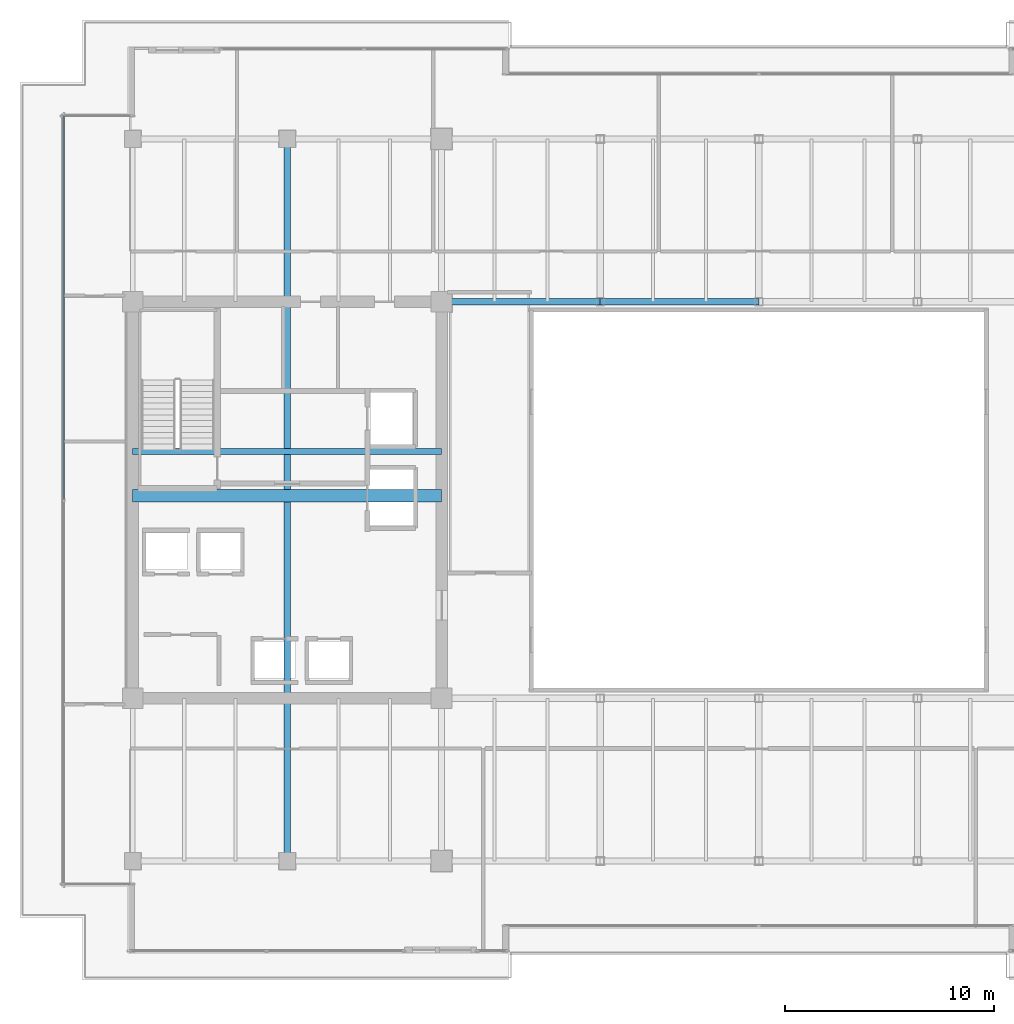
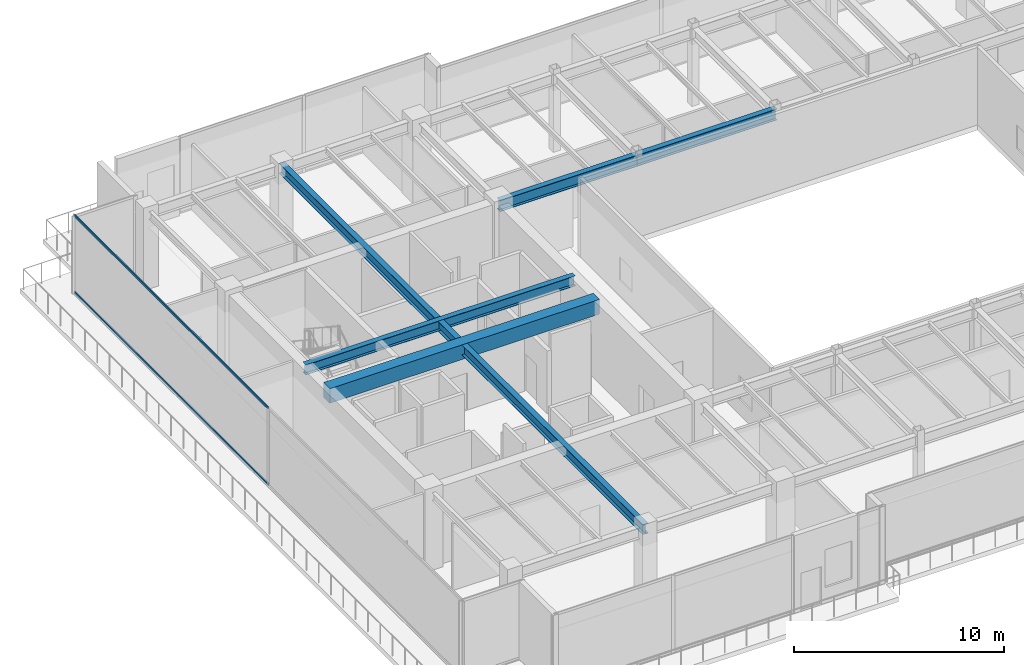
# One storey, part 10 of 37: 5 beams, 2 members, 1 element without a shape of its own.
"""IFC4 building model written with IfcOpenShell, lengths in metres."""

from ifc_helpers import new_model, si_unit, direction, frame, origin, origin_2d, place, context, subcontext, project, spatial, rectangle, hollow_rectangle, i_section, extrude, source, transform, mapped, material, layer, layer_set, material_profile, profile_set, type_object, type_shapes, element, aggregate, save


model = new_model("IFC4")

# Units and contexts
model_context = context("Model", 3, precision=1e-05, world=origin(), true_north=direction((0.0, 1.0)))
body_context = subcontext(model_context, "Body", "Model", "MODEL_VIEW")
ifc_project = project(units=[si_unit("LENGTHUNIT", "METRE"), si_unit("AREAUNIT", "SQUARE_METRE"), si_unit("VOLUMEUNIT", "CUBIC_METRE"), si_unit("PLANEANGLEUNIT", "RADIAN"), si_unit("MASSUNIT", "GRAM", prefix="KILO")], contexts=[model_context])

# Site, building, storey
site_placement = place(None, origin())
site = spatial("IfcSite", under=ifc_project, at=site_placement, CompositionType="ELEMENT")
building_placement = place(site_placement, origin())
building = spatial("IfcBuilding", under=site, at=building_placement, Name="Haelvirn Gate Laboratories", CompositionType="ELEMENT")
storey_placement = place(building_placement, frame((0.0, 0.0, 196.60009765625)))
storey = spatial("IfcBuildingStorey", under=building, at=storey_placement, Name="L47", CompositionType="ELEMENT", Elevation=196.60009765625)

# Beams
ifc_material_1 = material(Name="Steel SM355", Category="steel")
ifc_material_profile_1 = material_profile(ifc_material_1, i_section(OverallWidth=0.300048828125, OverallDepth=0.587890625, WebThickness=0.011962890625, FlangeThickness=0.02001953125, at=origin_2d()), Name="H-588x300x12x20")
ifc_profile_set_1 = profile_set([ifc_material_profile_1], Name="Steel SM355")
beam_type_1 = type_object("IfcBeamType", Name="BM-G-588", PredefinedType="BEAM", material=ifc_profile_set_1)
shared_shape_1 = source(origin(), body_context, "Body", "SweptSolid", [
    extrude(i_section(OverallWidth=0.300048828125, OverallDepth=0.587890625, WebThickness=0.011962890625, FlangeThickness=0.02001953125, at=origin_2d()), origin(), (0.0, 0.0, 1.0), 14.800048828125),
])
beam_1_placement = place(storey_placement, frame((7.39990234375, 26.6201171875, 4.205810546875), z_axis=(1.0, 0.0, 0.0), x_axis=(0.0, 1.0, 0.0)))
element("IfcBeam", 1, at=beam_1_placement, inside=storey, type_object=beam_type_1, Name="L47 Stair ST1 Landing Header", PredefinedType="BEAM", context=body_context, shape_type="MappedRepresentation", body=[
    mapped(shared_shape_1, transform((0.0, 0.0, 0.0), scale=1.0)),
])
shared_shape_2 = source(origin(), body_context, "Body", "SweptSolid", [
    extrude(i_section(OverallWidth=0.300048828125, OverallDepth=0.587890625, WebThickness=0.011962890625, FlangeThickness=0.02001953125, at=origin_2d()), origin(), (0.0, 0.0, 1.0), 34.60009765625),
])
type_shapes(beam_type_1, [shared_shape_1, shared_shape_2])
beam_2_placement = place(storey_placement, frame((14.800048828125, 7.0, 4.205810546875), z_axis=(0.0, 1.0, 0.0), x_axis=(-1.0, 0.0, 0.0)))
element("IfcBeam", 2, at=beam_2_placement, inside=storey, type_object=beam_type_1, Name="L47 Frame Girder X14.8 (7.0-41.6)", PredefinedType="BEAM", context=body_context, shape_type="MappedRepresentation", body=[
    mapped(shared_shape_2, transform((0.0, 0.0, 0.0), scale=1.0)),
])
ifc_material_2 = material(Name="Concrete C50/60", Category="concrete")
ifc_material_profile_2 = material_profile(ifc_material_2, rectangle(XDim=0.60009765625, YDim=0.85009765625, at=origin_2d()), Name="RCB-600x850")
ifc_profile_set_2 = profile_set([ifc_material_profile_2], Name="Concrete C50/60")
beam_type_2 = type_object("IfcBeamType", Name="BM-RCB-850", PredefinedType="LINTEL", material=ifc_profile_set_2)
shared_shape_3 = source(origin(), body_context, "Body", "SweptSolid", [
    extrude(rectangle(XDim=0.60009765625, YDim=0.85009765625, at=origin_2d()), origin(), (0.0, 0.0, 1.0), 14.800048828125),
])
type_shapes(beam_type_2, [shared_shape_3])
beam_3_placement = place(storey_placement, frame((7.39990234375, 24.5, 4.074951171875), z_axis=(1.0, 0.0, 0.0), x_axis=(0.0, 1.0, 0.0)))
element("IfcBeam", 3, at=beam_3_placement, inside=storey, type_object=beam_type_2, Name="L47 West Core Coupling Beam", PredefinedType="LINTEL", context=body_context, shape_type="MappedRepresentation", body=[
    mapped(shared_shape_3, transform((0.0, 0.0, 0.0), scale=1.0)),
])
ifc_material_profile_3 = material_profile(ifc_material_1, i_section(OverallWidth=0.300048828125, OverallDepth=0.64990234375, WebThickness=0.012939453125, FlangeThickness=0.02197265625, at=origin_2d()), Name="H-650x300x13x22")
ifc_profile_set_3 = profile_set([ifc_material_profile_3], Name="Steel SM355")
beam_type_3 = type_object("IfcBeamType", Name="BM-G-650", PredefinedType="BEAM", material=ifc_profile_set_3)
shared_shape_4 = source(origin(), body_context, "Body", "SweptSolid", [
    extrude(i_section(OverallWidth=0.300048828125, OverallDepth=0.64990234375, WebThickness=0.012939453125, FlangeThickness=0.02197265625, at=origin_2d()), origin(), (0.0, 0.0, 1.0), 7.60009765625),
])
beam_4_placement = place(storey_placement, frame((22.199951171875, 33.800048828125, 4.1748046875), z_axis=(1.0, 0.0, 0.0), x_axis=(0.0, 1.0, 0.0)))
element("IfcBeam", 4, at=beam_4_placement, inside=storey, type_object=beam_type_3, Name="L47 Primary Girder Y33.8 (22.2-29.8)", PredefinedType="BEAM", context=body_context, shape_type="MappedRepresentation", body=[
    mapped(shared_shape_4, transform((0.0, 0.0, 0.0), scale=1.0)),
])
shared_shape_5 = source(origin(), body_context, "Body", "SweptSolid", [
    extrude(i_section(OverallWidth=0.300048828125, OverallDepth=0.64990234375, WebThickness=0.012939453125, FlangeThickness=0.02197265625, at=origin_2d()), origin(), (0.0, 0.0, 1.0), 7.599853515625),
])
type_shapes(beam_type_3, [shared_shape_4, shared_shape_5])
beam_5_placement = place(storey_placement, frame((29.800048828125, 33.800048828125, 4.1748046875), z_axis=(1.0, 0.0, 0.0), x_axis=(0.0, 1.0, 0.0)))
element("IfcBeam", 5, at=beam_5_placement, inside=storey, type_object=beam_type_3, Name="L47 Primary Girder Y33.8 (29.8-37.4)", PredefinedType="BEAM", context=body_context, shape_type="MappedRepresentation", body=[
    mapped(shared_shape_5, transform((0.0, 0.0, 0.0), scale=1.0)),
])

# Curtain wall, members
ifc_material_3 = material(Name="Anodised bronze unitised aluminium & triple low-E glass", Category="aluminium")
ifc_layer = layer(ifc_material_3, 0.176025390625, Name="CW-SYS-4")
ifc_layer_set = layer_set([ifc_layer], Name="Anodised bronze unitised aluminium & triple low-E glass")
curtain_wall_type = type_object("IfcCurtainWallType", Name="CW-SYS-4", PredefinedType="NOTDEFINED", material=ifc_layer_set)
curtain_wall_placement = place(storey_placement, origin())
curtain_wall = element("IfcCurtainWall", 6, at=curtain_wall_placement, inside=storey, type_object=curtain_wall_type, Name="L47 Unitised Curtain Wall CW-L47-P0-E17", PredefinedType="NOTDEFINED")
ifc_material_4 = material(Name="Extruded aluminium 6063-T6 (anodised bronze)", Category="aluminium")
ifc_material_profile_4 = material_profile(ifc_material_4, hollow_rectangle(XDim=0.06494140625, YDim=0.139892578125, WallThickness=0.00390625, at=origin_2d()), Name="CWT-140x65x4")
ifc_profile_set_4 = profile_set([ifc_material_profile_4], Name="Extruded aluminium 6063-T6 (anodised bronze)")
member_type = type_object("IfcMemberType", Name="CWT-T140", PredefinedType="USERDEFINED", material=ifc_profile_set_4)
shared_shape_6 = source(origin(), body_context, "Body", "SweptSolid", [
    extrude(hollow_rectangle(XDim=0.06494140625, YDim=0.139892578125, WallThickness=0.00390625, at=origin_2d()), origin(), (0.0, 0.0, 1.0), 18.39501953125),
])
type_shapes(member_type, [shared_shape_6])
member_1_placement = place(storey_placement, frame((4.10009765625, 42.72998046875, 0.032470703125), z_axis=(0.0, -1.0, 0.0), x_axis=(1.0, 0.0, 0.0)))
member_1 = element("IfcMember", 7, at=member_1_placement, type_object=member_type, Name="CW4 transom 1.1", ObjectType="TRANSOM", PredefinedType="USERDEFINED", context=body_context, shape_type="MappedRepresentation", body=[
    mapped(shared_shape_6, transform((0.0, 0.0, 0.0), scale=1.0)),
])
member_2_placement = place(storey_placement, frame((4.10009765625, 42.72998046875, 4.46728515625), z_axis=(0.0, -1.0, 0.0), x_axis=(1.0, 0.0, 0.0)))
member_2 = element("IfcMember", 8, at=member_2_placement, type_object=member_type, Name="CW4 transom 1.2", ObjectType="TRANSOM", PredefinedType="USERDEFINED", context=body_context, shape_type="MappedRepresentation", body=[
    mapped(shared_shape_6, transform((0.0, 0.0, 0.0), scale=1.0)),
])
aggregate(curtain_wall, [member_1, member_2])

save(model, "model.ifc")
